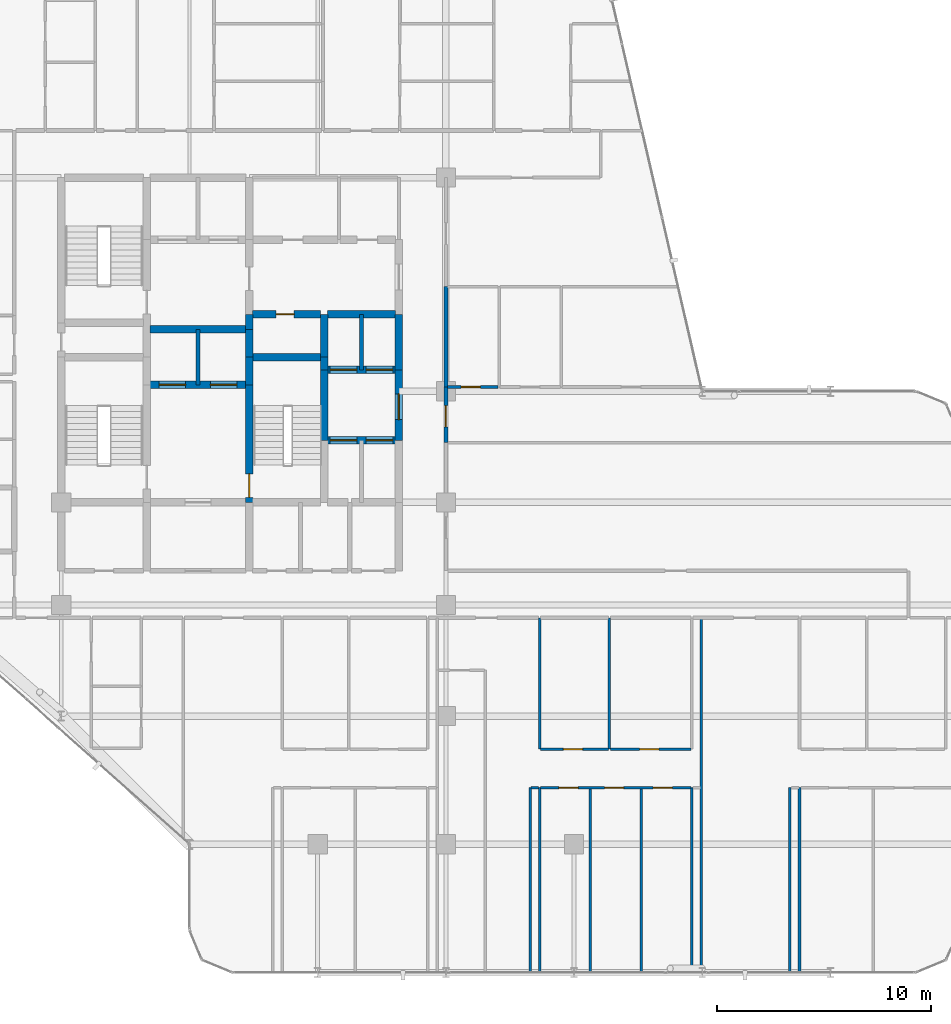
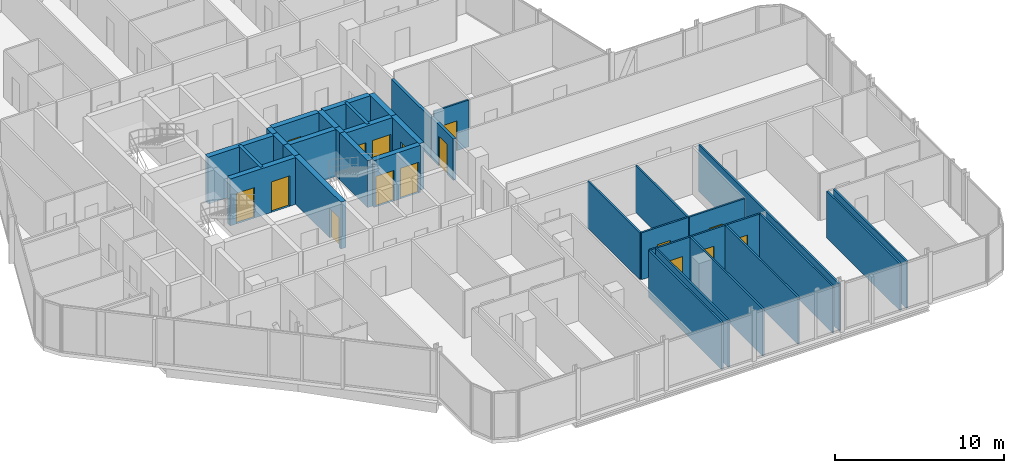
# One storey, part 25 of 29: 35 walls, 16 doors, 16 openings.
"""IFC4 building model written with IfcOpenShell, lengths in metres."""

from ifc_helpers import new_model, si_unit, direction, frame, frame_2d, origin, place, context, subcontext, project, spatial, rectangle, extrude, material, layer, layer_set, type_object, element, fill, save


model = new_model("IFC4")

# Units and contexts
model_context = context("Model", 3, precision=1e-05, world=origin(), true_north=direction((0.0, 1.0)))
body_context = subcontext(model_context, "Body", "Model", "MODEL_VIEW")
ifc_project = project(units=[si_unit("LENGTHUNIT", "METRE"), si_unit("AREAUNIT", "SQUARE_METRE"), si_unit("VOLUMEUNIT", "CUBIC_METRE"), si_unit("PLANEANGLEUNIT", "RADIAN"), si_unit("MASSUNIT", "GRAM", prefix="KILO")], contexts=[model_context])

# Site, building, storey
site_placement = place(None, origin())
site = spatial("IfcSite", under=ifc_project, at=site_placement, CompositionType="ELEMENT")
building_placement = place(site_placement, origin())
building = spatial("IfcBuilding", under=site, at=building_placement, Name="Keshet Zoharim Tower", CompositionType="ELEMENT")
storey_placement = place(building_placement, frame((0.0, 0.0, 180.199951171875)))
storey = spatial("IfcBuildingStorey", under=building, at=storey_placement, Name="L44", CompositionType="ELEMENT", Elevation=180.199951171875)

# Wall, opening, door
ifc_material_1 = material(Name="Concrete C60/75", Category="concrete")
ifc_layer_1 = layer(ifc_material_1, 0.35009765625)
ifc_layer_set_1 = layer_set([ifc_layer_1], Name="Concrete C60/75")
wall_type_1 = type_object("IfcWallType", Name="WL-CORE-350", PredefinedType="SHEAR", material=ifc_layer_set_1)
wall_1_placement = place(storey_placement, frame((23.800048828125, 22.699951171875, 0.0), z_axis=(0.0, 0.0, 1.0), x_axis=(0.0, 1.0, 0.0)))
wall_1 = element("IfcWall", 1, at=wall_1_placement, inside=storey, type_object=wall_type_1, Name="L44 Core Shear Wall 038", PredefinedType="SHEAR", context=body_context, shape_type="SweptSolid", body=[
    extrude(rectangle(XDim=5.5, YDim=0.35009765625, at=frame_2d((2.75, 0.0))), origin(), (0.0, 0.0, 1.0), 3.380126953125),
])
opening_1_placement = place(wall_1_placement, frame((0.235107421875, 0.0, 0.0)))
opening_1 = element("IfcOpeningElement", 2, at=opening_1_placement, cuts=wall_1, Name="Opening D-F611", PredefinedType="OPENING", context=body_context, shape_type="SweptSolid", body=[
    extrude(rectangle(XDim=1.10009765625, YDim=2.14990234375, at=frame_2d((0.550048828125, 1.074951171875))), frame((0.0, 0.18505859375, 0.0), z_axis=(0.0, -1.0, 0.0), x_axis=(1.0, 0.0, 0.0)), (0.0, 0.0, 1.0), 0.3701171875),
])
ifc_material_2 = material(Name="Hardwood Timber", Category="wood")
door_type_1 = type_object("IfcDoorType", Name="DR-FD60-110", OperationType="NOTDEFINED", PredefinedType="DOOR", material=ifc_material_2)
door_1_placement = place(opening_1_placement, frame((1.10009765625, 0.0, 0.0), z_axis=(0.0, 0.0, 1.0), x_axis=(-1.0, 0.0, 0.0)))
door_1 = element("IfcDoor", 3, at=door_1_placement, inside=storey, type_object=door_type_1, Name="L44 Exit Stair ST-03 Fire Door", OperationType="SINGLE_SWING_LEFT", OverallHeight=2.14990234375, OverallWidth=1.10009765625, PredefinedType="DOOR", context=body_context, shape_type="SweptSolid", body=[
    extrude(rectangle(XDim=1.10009765625, YDim=2.14990234375, at=frame_2d((0.550048828125, 1.074951171875))), frame((0.0, 0.02490234375, 0.0), z_axis=(0.0, -1.0, 0.0), x_axis=(1.0, 0.0, 0.0)), (0.0, 0.0, 1.0), 0.050048828125),
])
fill(opening_1, door_1)

# Walls
for number, where, z_axis, x_axis, name in (
    (4, (23.800048828125, 28.199951171875, 0.0), (0.0, 0.0, 1.0), (0.0, 1.0, 0.0), "L44 Core Shear Wall 039"),
    (5, (23.800048828125, 29.5, 0.0), (0.0, 0.0, 1.0), (0.0, 1.0, 0.0), "L44 Core Shear Wall 040"),
):
    element("IfcWall", number, at=place(storey_placement, frame(where, z_axis=z_axis, x_axis=x_axis)), inside=storey, type_object=wall_type_1, Name=name, PredefinedType="SHEAR", context=body_context, shape_type="SweptSolid", body=[
        extrude(rectangle(XDim=1.300048828125, YDim=0.35009765625, at=frame_2d((0.64990234375, 0.0))), origin(), (0.0, 0.0, 1.0), 3.380126953125),
    ])
wall_2_placement = place(storey_placement, frame((23.800048828125, 30.800048828125, 0.0), z_axis=(0.0, 0.0, 1.0), x_axis=(0.0, 1.0, 0.0)))
element("IfcWall", 6, at=wall_2_placement, inside=storey, type_object=wall_type_1, Name="L44 Core Shear Wall 041", PredefinedType="SHEAR", context=body_context, shape_type="SweptSolid", body=[
    extrude(rectangle(XDim=0.699951171875, YDim=0.35009765625, at=frame_2d((0.35009765625, 0.0))), origin(), (0.0, 0.0, 1.0), 3.380126953125),
])
wall_3_placement = place(storey_placement, frame((27.300048828125, 25.60009765625, 0.0), z_axis=(0.0, 0.0, 1.0), x_axis=(0.0, 1.0, 0.0)))
element("IfcWall", 7, at=wall_3_placement, inside=storey, type_object=wall_type_1, Name="L44 Core Shear Wall 052", PredefinedType="SHEAR", context=body_context, shape_type="SweptSolid", body=[
    extrude(rectangle(XDim=3.2998046875, YDim=0.35009765625, at=frame_2d((1.64990234375, 0.0))), origin(), (0.0, 0.0, 1.0), 3.380126953125),
])
wall_4_placement = place(storey_placement, frame((27.300048828125, 28.89990234375, 0.0), z_axis=(0.0, 0.0, 1.0), x_axis=(0.0, 1.0, 0.0)))
element("IfcWall", 8, at=wall_4_placement, inside=storey, type_object=wall_type_1, Name="L44 Core Shear Wall 053", PredefinedType="SHEAR", context=body_context, shape_type="SweptSolid", body=[
    extrude(rectangle(XDim=0.60009765625, YDim=0.35009765625, at=frame_2d((0.300048828125, 0.0))), origin(), (0.0, 0.0, 1.0), 3.380126953125),
])
wall_5_placement = place(storey_placement, frame((27.300048828125, 29.5, 0.0), z_axis=(0.0, 0.0, 1.0), x_axis=(0.0, 1.0, 0.0)))
element("IfcWall", 9, at=wall_5_placement, inside=storey, type_object=wall_type_1, Name="L44 Core Shear Wall 054", PredefinedType="SHEAR", context=body_context, shape_type="SweptSolid", body=[
    extrude(rectangle(XDim=2.0, YDim=0.35009765625, at=frame_2d((1.0, 0.0))), origin(), (0.0, 0.0, 1.0), 3.380126953125),
])

# Wall, opening, door
wall_6_placement = place(storey_placement, frame((30.800048828125, 25.60009765625, 0.0), z_axis=(0.0, 0.0, 1.0), x_axis=(0.0, 1.0, 0.0)))
wall_6 = element("IfcWall", 10, at=wall_6_placement, inside=storey, type_object=wall_type_1, Name="L44 Core Shear Wall 063", PredefinedType="SHEAR", context=body_context, shape_type="SweptSolid", body=[
    extrude(rectangle(XDim=3.2998046875, YDim=0.35009765625, at=frame_2d((1.64990234375, 0.0))), origin(), (0.0, 0.0, 1.0), 3.380126953125),
])
opening_2_placement = place(wall_6_placement, frame((0.97802734375, 0.0, 0.0)))
opening_2 = element("IfcOpeningElement", 11, at=opening_2_placement, cuts=wall_6, Name="Opening D-F612", PredefinedType="OPENING", context=body_context, shape_type="SweptSolid", body=[
    extrude(rectangle(XDim=1.199951171875, YDim=2.199951171875, at=frame_2d((0.60009765625, 1.10009765625))), frame((0.0, 0.18505859375, 0.0), z_axis=(0.0, -1.0, 0.0), x_axis=(1.0, 0.0, 0.0)), (0.0, 0.0, 1.0), 0.3701171875),
])
door_type_2 = type_object("IfcDoorType", Name="DR-FD60-120", OperationType="NOTDEFINED", PredefinedType="DOOR", material=ifc_material_2)
door_2_placement = place(opening_2_placement, origin())
door_2 = element("IfcDoor", 12, at=door_2_placement, inside=storey, type_object=door_type_2, Name="L44 East Lift Lobby Fire Door", OperationType="SINGLE_SWING_LEFT", OverallHeight=2.199951171875, OverallWidth=1.199951171875, PredefinedType="DOOR", context=body_context, shape_type="SweptSolid", body=[
    extrude(rectangle(XDim=1.199951171875, YDim=2.199951171875, at=frame_2d((0.60009765625, 1.10009765625))), frame((0.0, 0.02490234375, 0.0), z_axis=(0.0, -1.0, 0.0), x_axis=(1.0, 0.0, 0.0)), (0.0, 0.0, 1.0), 0.050048828125),
])
fill(opening_2, door_2)

# Wall
wall_7_placement = place(storey_placement, frame((30.800048828125, 28.89990234375, 0.0), z_axis=(0.0, 0.0, 1.0), x_axis=(0.0, 1.0, 0.0)))
element("IfcWall", 13, at=wall_7_placement, inside=storey, type_object=wall_type_1, Name="L44 Core Shear Wall 064", PredefinedType="SHEAR", context=body_context, shape_type="SweptSolid", body=[
    extrude(rectangle(XDim=2.60009765625, YDim=0.35009765625, at=frame_2d((1.300048828125, 0.0))), origin(), (0.0, 0.0, 1.0), 3.380126953125),
])

# Wall, openings, doors
wall_8_placement = place(storey_placement, frame((27.4599609375, 25.60009765625, 0.0), z_axis=(0.0, 0.0, 1.0), x_axis=(1.0, 0.0, 0.0)))
wall_8 = element("IfcWall", 14, at=wall_8_placement, inside=storey, type_object=wall_type_1, Name="L44 Core Shear Wall 152", PredefinedType="SHEAR", context=body_context, shape_type="SweptSolid", body=[
    extrude(rectangle(XDim=3.179931640625, YDim=0.35009765625, at=frame_2d((1.58984375, 0.0))), origin(), (0.0, 0.0, 1.0), 3.380126953125),
])
opening_3_placement = place(wall_8_placement, frame((0.1201171875, 0.0, 0.0)))
opening_3 = element("IfcOpeningElement", 15, at=opening_3_placement, cuts=wall_8, Name="Opening LD-01", PredefinedType="OPENING", context=body_context, shape_type="SweptSolid", body=[
    extrude(rectangle(XDim=1.25, YDim=2.199951171875, at=frame_2d((0.625, 1.10009765625))), frame((0.0, 0.18505859375, 0.0), z_axis=(0.0, -1.0, 0.0), x_axis=(1.0, 0.0, 0.0)), (0.0, 0.0, 1.0), 0.3701171875),
])
opening_4_placement = place(wall_8_placement, frame((1.81005859375, 0.0, 0.0)))
opening_4 = element("IfcOpeningElement", 16, at=opening_4_placement, cuts=wall_8, Name="Opening LD-01", PredefinedType="OPENING", context=body_context, shape_type="SweptSolid", body=[
    extrude(rectangle(XDim=1.25, YDim=2.199951171875, at=frame_2d((0.625, 1.10009765625))), frame((0.0, 0.18505859375, 0.0), z_axis=(0.0, -1.0, 0.0), x_axis=(1.0, 0.0, 0.0)), (0.0, 0.0, 1.0), 0.3701171875),
])
ifc_material_3 = material(Name="Steel S355", Category="steel")
door_type_3 = type_object("IfcDoorType", Name="DR-LD01-125", OperationType="DOUBLE_DOOR_SLIDING", PredefinedType="DOOR", material=ifc_material_3)
door_3_placement = place(opening_3_placement, origin())
door_3 = element("IfcDoor", 17, at=door_3_placement, inside=storey, type_object=door_type_3, Name="L44 Passenger Lift Landing Door LF-07", OperationType="DOUBLE_DOOR_SLIDING", OverallHeight=2.199951171875, OverallWidth=1.25, PredefinedType="DOOR", context=body_context, shape_type="SweptSolid", body=[
    extrude(rectangle(XDim=1.25, YDim=2.199951171875, at=frame_2d((0.625, 1.10009765625))), frame((0.0, 0.02490234375, 0.0), z_axis=(0.0, -1.0, 0.0), x_axis=(1.0, 0.0, 0.0)), (0.0, 0.0, 1.0), 0.050048828125),
])
fill(opening_3, door_3)
door_4_placement = place(opening_4_placement, origin())
door_4 = element("IfcDoor", 18, at=door_4_placement, inside=storey, type_object=door_type_3, Name="L44 Passenger Lift Landing Door LF-08", OperationType="DOUBLE_DOOR_SLIDING", OverallHeight=2.199951171875, OverallWidth=1.25, PredefinedType="DOOR", context=body_context, shape_type="SweptSolid", body=[
    extrude(rectangle(XDim=1.25, YDim=2.199951171875, at=frame_2d((0.625, 1.10009765625))), frame((0.0, 0.02490234375, 0.0), z_axis=(0.0, -1.0, 0.0), x_axis=(1.0, 0.0, 0.0)), (0.0, 0.0, 1.0), 0.050048828125),
])
fill(opening_4, door_4)

wall_9_placement = place(storey_placement, frame((19.159912109375, 28.199951171875, 0.0), z_axis=(0.0, 0.0, 1.0), x_axis=(1.0, 0.0, 0.0)))
wall_9 = element("IfcWall", 19, at=wall_9_placement, inside=storey, type_object=wall_type_1, Name="L44 Core Shear Wall 158", PredefinedType="SHEAR", context=body_context, shape_type="SweptSolid", body=[
    extrude(rectangle(XDim=4.47998046875, YDim=0.35009765625, at=frame_2d((2.239990234375, 0.0))), origin(), (0.0, 0.0, 1.0), 3.380126953125),
])
opening_5_placement = place(wall_9_placement, frame((0.4150390625, 0.0, 0.0)))
opening_5 = element("IfcOpeningElement", 20, at=opening_5_placement, cuts=wall_9, Name="Opening LD-01", PredefinedType="OPENING", context=body_context, shape_type="SweptSolid", body=[
    extrude(rectangle(XDim=1.25, YDim=2.199951171875, at=frame_2d((0.625, 1.10009765625))), frame((0.0, 0.18505859375, 0.0), z_axis=(0.0, -1.0, 0.0), x_axis=(1.0, 0.0, 0.0)), (0.0, 0.0, 1.0), 0.3701171875),
])
opening_6_placement = place(wall_9_placement, frame((2.81494140625, 0.0, 0.0)))
opening_6 = element("IfcOpeningElement", 21, at=opening_6_placement, cuts=wall_9, Name="Opening LD-01", PredefinedType="OPENING", context=body_context, shape_type="SweptSolid", body=[
    extrude(rectangle(XDim=1.25, YDim=2.199951171875, at=frame_2d((0.625, 1.10009765625))), frame((0.0, 0.18505859375, 0.0), z_axis=(0.0, -1.0, 0.0), x_axis=(1.0, 0.0, 0.0)), (0.0, 0.0, 1.0), 0.3701171875),
])
door_5_placement = place(opening_5_placement, origin())
door_5 = element("IfcDoor", 22, at=door_5_placement, inside=storey, type_object=door_type_3, Name="L44 Passenger Lift Landing Door LF-09", OperationType="DOUBLE_DOOR_SLIDING", OverallHeight=2.199951171875, OverallWidth=1.25, PredefinedType="DOOR", context=body_context, shape_type="SweptSolid", body=[
    extrude(rectangle(XDim=1.25, YDim=2.199951171875, at=frame_2d((0.625, 1.10009765625))), frame((0.0, 0.02490234375, 0.0), z_axis=(0.0, -1.0, 0.0), x_axis=(1.0, 0.0, 0.0)), (0.0, 0.0, 1.0), 0.050048828125),
])
fill(opening_5, door_5)
door_6_placement = place(opening_6_placement, origin())
door_6 = element("IfcDoor", 23, at=door_6_placement, inside=storey, type_object=door_type_3, Name="L44 Passenger Lift Landing Door LF-10", OperationType="DOUBLE_DOOR_SLIDING", OverallHeight=2.199951171875, OverallWidth=1.25, PredefinedType="DOOR", context=body_context, shape_type="SweptSolid", body=[
    extrude(rectangle(XDim=1.25, YDim=2.199951171875, at=frame_2d((0.625, 1.10009765625))), frame((0.0, 0.02490234375, 0.0), z_axis=(0.0, -1.0, 0.0), x_axis=(1.0, 0.0, 0.0)), (0.0, 0.0, 1.0), 0.050048828125),
])
fill(opening_6, door_6)

wall_10_placement = place(storey_placement, frame((27.4599609375, 28.89990234375, 0.0), z_axis=(0.0, 0.0, 1.0), x_axis=(1.0, 0.0, 0.0)))
wall_10 = element("IfcWall", 24, at=wall_10_placement, inside=storey, type_object=wall_type_1, Name="L44 Core Shear Wall 163", PredefinedType="SHEAR", context=body_context, shape_type="SweptSolid", body=[
    extrude(rectangle(XDim=3.179931640625, YDim=0.35009765625, at=frame_2d((1.58984375, 0.0))), origin(), (0.0, 0.0, 1.0), 3.380126953125),
])
opening_7_placement = place(wall_10_placement, frame((0.1201171875, 0.0, 0.0)))
opening_7 = element("IfcOpeningElement", 25, at=opening_7_placement, cuts=wall_10, Name="Opening LD-01", PredefinedType="OPENING", context=body_context, shape_type="SweptSolid", body=[
    extrude(rectangle(XDim=1.25, YDim=2.199951171875, at=frame_2d((0.625, 1.10009765625))), frame((0.0, 0.18505859375, 0.0), z_axis=(0.0, -1.0, 0.0), x_axis=(1.0, 0.0, 0.0)), (0.0, 0.0, 1.0), 0.3701171875),
])
opening_8_placement = place(wall_10_placement, frame((1.81005859375, 0.0, 0.0)))
opening_8 = element("IfcOpeningElement", 26, at=opening_8_placement, cuts=wall_10, Name="Opening LD-01", PredefinedType="OPENING", context=body_context, shape_type="SweptSolid", body=[
    extrude(rectangle(XDim=1.25, YDim=2.199951171875, at=frame_2d((0.625, 1.10009765625))), frame((0.0, 0.18505859375, 0.0), z_axis=(0.0, -1.0, 0.0), x_axis=(1.0, 0.0, 0.0)), (0.0, 0.0, 1.0), 0.3701171875),
])
door_7_placement = place(opening_7_placement, origin())
door_7 = element("IfcDoor", 27, at=door_7_placement, inside=storey, type_object=door_type_3, Name="L44 Passenger Lift Landing Door LF-05", OperationType="DOUBLE_DOOR_SLIDING", OverallHeight=2.199951171875, OverallWidth=1.25, PredefinedType="DOOR", context=body_context, shape_type="SweptSolid", body=[
    extrude(rectangle(XDim=1.25, YDim=2.199951171875, at=frame_2d((0.625, 1.10009765625))), frame((0.0, 0.02490234375, 0.0), z_axis=(0.0, -1.0, 0.0), x_axis=(1.0, 0.0, 0.0)), (0.0, 0.0, 1.0), 0.050048828125),
])
fill(opening_7, door_7)
door_8_placement = place(opening_8_placement, origin())
door_8 = element("IfcDoor", 28, at=door_8_placement, inside=storey, type_object=door_type_3, Name="L44 Passenger Lift Landing Door LF-06", OperationType="DOUBLE_DOOR_SLIDING", OverallHeight=2.199951171875, OverallWidth=1.25, PredefinedType="DOOR", context=body_context, shape_type="SweptSolid", body=[
    extrude(rectangle(XDim=1.25, YDim=2.199951171875, at=frame_2d((0.625, 1.10009765625))), frame((0.0, 0.02490234375, 0.0), z_axis=(0.0, -1.0, 0.0), x_axis=(1.0, 0.0, 0.0)), (0.0, 0.0, 1.0), 0.050048828125),
])
fill(opening_8, door_8)

# Walls
wall_11_placement = place(storey_placement, frame((23.9599609375, 29.5, 0.0), z_axis=(0.0, 0.0, 1.0), x_axis=(1.0, 0.0, 0.0)))
element("IfcWall", 29, at=wall_11_placement, inside=storey, type_object=wall_type_1, Name="L44 Core Shear Wall 165", PredefinedType="SHEAR", context=body_context, shape_type="SweptSolid", body=[
    extrude(rectangle(XDim=3.179931640625, YDim=0.35009765625, at=frame_2d((1.58984375, 0.0))), origin(), (0.0, 0.0, 1.0), 3.380126953125),
])
wall_12_placement = place(storey_placement, frame((19.159912109375, 30.800048828125, 0.0), z_axis=(0.0, 0.0, 1.0), x_axis=(1.0, 0.0, 0.0)))
element("IfcWall", 30, at=wall_12_placement, inside=storey, type_object=wall_type_1, Name="L44 Core Shear Wall 166", PredefinedType="SHEAR", context=body_context, shape_type="SweptSolid", body=[
    extrude(rectangle(XDim=4.47998046875, YDim=0.35009765625, at=frame_2d((2.239990234375, 0.0))), origin(), (0.0, 0.0, 1.0), 3.380126953125),
])

# Wall, opening, door
wall_13_placement = place(storey_placement, frame((23.9599609375, 31.5, 0.0), z_axis=(0.0, 0.0, 1.0), x_axis=(1.0, 0.0, 0.0)))
wall_13 = element("IfcWall", 31, at=wall_13_placement, inside=storey, type_object=wall_type_1, Name="L44 Core Shear Wall 170", PredefinedType="SHEAR", context=body_context, shape_type="SweptSolid", body=[
    extrude(rectangle(XDim=3.179931640625, YDim=0.35009765625, at=frame_2d((1.58984375, 0.0))), origin(), (0.0, 0.0, 1.0), 3.380126953125),
])
opening_9_placement = place(wall_13_placement, frame((1.093994140625, 0.0, 0.0)))
opening_9 = element("IfcOpeningElement", 32, at=opening_9_placement, cuts=wall_13, Name="Opening D-RS85", PredefinedType="OPENING", context=body_context, shape_type="SweptSolid", body=[
    extrude(rectangle(XDim=0.85009765625, YDim=2.10009765625, at=frame_2d((0.425048828125, 1.050048828125))), frame((0.0, 0.18505859375, 0.0), z_axis=(0.0, -1.0, 0.0), x_axis=(1.0, 0.0, 0.0)), (0.0, 0.0, 1.0), 0.3701171875),
])
door_type_4 = type_object("IfcDoorType", Name="DR-RIS-085", OperationType="NOTDEFINED", PredefinedType="DOOR", material=ifc_material_2)
door_9_placement = place(opening_9_placement, origin())
door_9 = element("IfcDoor", 33, at=door_9_placement, inside=storey, type_object=door_type_4, Name="L44 Telecom Riser Access Cupboard Door", OperationType="SINGLE_SWING_RIGHT", OverallHeight=2.10009765625, OverallWidth=0.85009765625, PredefinedType="DOOR", context=body_context, shape_type="SweptSolid", body=[
    extrude(rectangle(XDim=0.85009765625, YDim=2.10009765625, at=frame_2d((0.425048828125, 1.050048828125))), frame((0.0, 0.02490234375, 0.0), z_axis=(0.0, -1.0, 0.0), x_axis=(1.0, 0.0, 0.0)), (0.0, 0.0, 1.0), 0.050048828125),
])
fill(opening_9, door_9)

# Wall
wall_14_placement = place(storey_placement, frame((27.4599609375, 31.5, 0.0), z_axis=(0.0, 0.0, 1.0), x_axis=(1.0, 0.0, 0.0)))
element("IfcWall", 34, at=wall_14_placement, inside=storey, type_object=wall_type_1, Name="L44 Core Shear Wall 171", PredefinedType="SHEAR", context=body_context, shape_type="SweptSolid", body=[
    extrude(rectangle(XDim=3.179931640625, YDim=0.35009765625, at=frame_2d((1.58984375, 0.0))), origin(), (0.0, 0.0, 1.0), 3.380126953125),
])

# Wall, opening, door
ifc_material_4 = material(Name="Gypsum Plasterboard", Category="gypsum")
ifc_layer_2 = layer(ifc_material_4, 0.179931640625)
ifc_layer_set_2 = layer_set([ifc_layer_2], Name="Gypsum Plasterboard")
wall_type_2 = type_object("IfcWallType", Name="WL-CORR-180", PredefinedType="STANDARD", material=ifc_layer_set_2)
wall_15_placement = place(storey_placement, frame((33.0, 25.510009765625, 0.0), z_axis=(0.0, 0.0, 1.0), x_axis=(0.0, 1.0, 0.0)))
wall_15 = element("IfcWall", 35, at=wall_15_placement, inside=storey, type_object=wall_type_2, Name="L44 Interior Wall 076", PredefinedType="STANDARD", context=body_context, shape_type="SweptSolid", body=[
    extrude(rectangle(XDim=2.60009765625, YDim=0.179931640625, at=frame_2d((1.300048828125, 0.0))), origin(), (0.0, 0.0, 1.0), 2.97998046875),
])
opening_10_placement = place(wall_15_placement, frame((0.722900390625, 0.0, 0.0)))
opening_10 = element("IfcOpeningElement", 36, at=opening_10_placement, cuts=wall_15, Name="Opening D-F310", PredefinedType="OPENING", context=body_context, shape_type="SweptSolid", body=[
    extrude(rectangle(XDim=1.0, YDim=2.14990234375, at=frame_2d((0.5, 1.074951171875))), frame((0.0, 0.10009765625, 0.0), z_axis=(0.0, -1.0, 0.0), x_axis=(1.0, 0.0, 0.0)), (0.0, 0.0, 1.0), 0.199951171875),
])
door_type_5 = type_object("IfcDoorType", Name="DR-FD30-100", OperationType="NOTDEFINED", PredefinedType="DOOR", material=ifc_material_2)
door_10_placement = place(opening_10_placement, origin())
door_10 = element("IfcDoor", 37, at=door_10_placement, inside=storey, type_object=door_type_5, Name="Apartment 4411 Entrance Door", OperationType="SINGLE_SWING_RIGHT", OverallHeight=2.14990234375, OverallWidth=1.0, PredefinedType="DOOR", context=body_context, shape_type="SweptSolid", body=[
    extrude(rectangle(XDim=1.0, YDim=2.14990234375, at=frame_2d((0.5, 1.074951171875))), frame((0.0, 0.02490234375, 0.0), z_axis=(0.0, -1.0, 0.0), x_axis=(1.0, 0.0, 0.0)), (0.0, 0.0, 1.0), 0.050048828125),
])
fill(opening_10, door_10)

# Walls
wall_16_placement = place(storey_placement, frame((33.0, 28.110107421875, 0.0), z_axis=(0.0, 0.0, 1.0), x_axis=(0.0, 1.0, 0.0)))
element("IfcWall", 38, at=wall_16_placement, inside=storey, type_object=wall_type_2, Name="L44 Interior Wall 077", PredefinedType="STANDARD", context=body_context, shape_type="SweptSolid", body=[
    extrude(rectangle(XDim=4.68994140625, YDim=0.179931640625, at=frame_2d((2.344970703125, 0.0))), origin(), (0.0, 0.0, 1.0), 2.880126953125),
])
ifc_material_5 = material(Name="Concrete C50/60", Category="concrete")
ifc_layer_3 = layer(ifc_material_5, 0.199951171875)
ifc_layer_set_3 = layer_set([ifc_layer_3], Name="Concrete C50/60")
wall_type_3 = type_object("IfcWallType", Name="WL-FIRE-200", PredefinedType="STANDARD", material=ifc_layer_set_3)
for number, where, z_axis, x_axis, name in (
    (39, (21.39990234375, 28.199951171875, 0.0), (0.0, 0.0, 1.0), (0.0, 1.0, 0.0), "L44 Interior Wall 032"),
    (40, (29.050048828125, 28.89990234375, 0.0), (0.0, 0.0, 1.0), (0.0, 1.0, 0.0), "L44 Interior Wall 060"),
):
    element("IfcWall", number, at=place(storey_placement, frame(where, z_axis=z_axis, x_axis=x_axis)), inside=storey, type_object=wall_type_3, Name=name, PredefinedType="STANDARD", context=body_context, shape_type="SweptSolid", body=[
        extrude(rectangle(XDim=2.60009765625, YDim=0.199951171875, at=frame_2d((1.300048828125, 0.0))), origin(), (0.0, 0.0, 1.0), 3.380126953125),
    ])
ifc_layer_4 = layer(ifc_material_4, 0.1201171875)
ifc_layer_set_4 = layer_set([ifc_layer_4], Name="Gypsum Plasterboard")
wall_type_4 = type_object("IfcWallType", Name="WL-PART-120", PredefinedType="PARTITIONING", material=ifc_layer_set_4)
for number, where, z_axis, x_axis, name in (
    (41, (36.949951171875, 0.7099609375, 0.0), (0.0, 0.0, 1.0), (0.0, 1.0, 0.0), "L44 Interior Wall 084"),
    (42, (37.39990234375, 0.7099609375, 0.0), (0.0, 0.0, 1.0), (0.0, 1.0, 0.0), "L44 Interior Wall 085"),
):
    element("IfcWall", number, at=place(storey_placement, frame(where, z_axis=z_axis, x_axis=x_axis)), inside=storey, type_object=wall_type_4, Name=name, PredefinedType="PARTITIONING", context=body_context, shape_type="SweptSolid", body=[
        extrude(rectangle(XDim=8.64013671875, YDim=0.1201171875, at=frame_2d((4.320068359375, 0.0))), origin(), (0.0, 0.0, 1.0), 3.380126953125),
    ])
wall_17_placement = place(storey_placement, frame((37.39990234375, 11.14990234375, 0.0), z_axis=(0.0, 0.0, 1.0), x_axis=(0.0, 1.0, 0.0)))
element("IfcWall", 43, at=wall_17_placement, inside=storey, type_object=wall_type_4, Name="L44 Interior Wall 086", PredefinedType="PARTITIONING", context=body_context, shape_type="SweptSolid", body=[
    extrude(rectangle(XDim=6.150146484375, YDim=0.1201171875, at=frame_2d((3.0751953125, 0.0))), origin(), (0.0, 0.0, 1.0), 3.380126953125),
])
for number, where, z_axis, x_axis, name in (
    (44, (39.75, 0.7099609375, 0.0), (0.0, 0.0, 1.0), (0.0, 1.0, 0.0), "L44 Interior Wall 090"),
    (45, (42.14990234375, 0.7099609375, 0.0), (0.0, 0.0, 1.0), (0.0, 1.0, 0.0), "L44 Interior Wall 093"),
    (46, (44.5, 0.7099609375, 0.0), (0.0, 0.0, 1.0), (0.0, 1.0, 0.0), "L44 Interior Wall 094"),
):
    element("IfcWall", number, at=place(storey_placement, frame(where, z_axis=z_axis, x_axis=x_axis)), inside=storey, type_object=wall_type_4, Name=name, PredefinedType="PARTITIONING", context=body_context, shape_type="SweptSolid", body=[
        extrude(rectangle(XDim=8.64013671875, YDim=0.1201171875, at=frame_2d((4.320068359375, 0.0))), origin(), (0.0, 0.0, 1.0), 3.380126953125),
    ])
wall_18_placement = place(storey_placement, frame((44.949951171875, 0.7099609375, 0.0), z_axis=(0.0, 0.0, 1.0), x_axis=(0.0, 1.0, 0.0)))
element("IfcWall", 47, at=wall_18_placement, inside=storey, type_object=wall_type_4, Name="L44 Interior Wall 096", PredefinedType="PARTITIONING", context=body_context, shape_type="SweptSolid", body=[
    extrude(rectangle(XDim=16.590087890625, YDim=0.1201171875, at=frame_2d((8.294921875, 0.0))), origin(), (0.0, 0.0, 1.0), 3.380126953125),
])
for number, where, z_axis, x_axis, name in (
    (48, (49.10009765625, 0.7099609375, 0.0), (0.0, 0.0, 1.0), (0.0, 1.0, 0.0), "L44 Interior Wall 097"),
    (49, (49.550048828125, 0.7099609375, 0.0), (0.0, 0.0, 1.0), (0.0, 1.0, 0.0), "L44 Interior Wall 098"),
):
    element("IfcWall", number, at=place(storey_placement, frame(where, z_axis=z_axis, x_axis=x_axis)), inside=storey, type_object=wall_type_4, Name=name, PredefinedType="PARTITIONING", context=body_context, shape_type="SweptSolid", body=[
        extrude(rectangle(XDim=8.64013671875, YDim=0.1201171875, at=frame_2d((4.320068359375, 0.0))), origin(), (0.0, 0.0, 1.0), 3.380126953125),
    ])
wall_19_placement = place(storey_placement, frame((36.97509765625, 9.35009765625, 0.0), z_axis=(0.0, 0.0, 1.0), x_axis=(1.0, 0.0, 0.0)))
element("IfcWall", 50, at=wall_19_placement, inside=storey, type_object=wall_type_4, Name="L44 Interior Wall 107", PredefinedType="PARTITIONING", context=body_context, shape_type="SweptSolid", body=[
    extrude(rectangle(XDim=0.35986328125, YDim=0.1201171875, at=frame_2d((0.179931640625, 0.0))), origin(), (0.0, 0.0, 1.0), 3.380126953125),
])

# Wall, openings, doors
wall_20_placement = place(storey_placement, frame((37.425048828125, 9.35009765625, 0.0), z_axis=(0.0, 0.0, 1.0), x_axis=(1.0, 0.0, 0.0)))
wall_20 = element("IfcWall", 51, at=wall_20_placement, inside=storey, type_object=wall_type_4, Name="L44 Interior Wall 108", PredefinedType="PARTITIONING", context=body_context, shape_type="SweptSolid", body=[
    extrude(rectangle(XDim=7.0400390625, YDim=0.1201171875, at=frame_2d((3.52001953125, 0.0))), origin(), (0.0, 0.0, 1.0), 3.380126953125),
])
opening_11_placement = place(wall_20_placement, frame((0.867919921875, 0.0, 0.0)))
opening_11 = element("IfcOpeningElement", 52, at=opening_11_placement, cuts=wall_20, Name="Opening D-IN90", PredefinedType="OPENING", context=body_context, shape_type="SweptSolid", body=[
    extrude(rectangle(XDim=0.89990234375, YDim=2.14990234375, at=frame_2d((0.449951171875, 1.074951171875))), frame((0.0, 0.070068359375, 0.0), z_axis=(0.0, -1.0, 0.0), x_axis=(1.0, 0.0, 0.0)), (0.0, 0.0, 1.0), 0.14013671875),
])
opening_12_placement = place(wall_20_placement, frame((2.9990234375, 0.0, 0.0)))
opening_12 = element("IfcOpeningElement", 53, at=opening_12_placement, cuts=wall_20, Name="Opening D-IN90", PredefinedType="OPENING", context=body_context, shape_type="SweptSolid", body=[
    extrude(rectangle(XDim=0.89990234375, YDim=2.14990234375, at=frame_2d((0.449951171875, 1.074951171875))), frame((0.0, 0.070068359375, 0.0), z_axis=(0.0, -1.0, 0.0), x_axis=(1.0, 0.0, 0.0)), (0.0, 0.0, 1.0), 0.14013671875),
])
opening_13_placement = place(wall_20_placement, frame((5.27197265625, 0.0, 0.0)))
opening_13 = element("IfcOpeningElement", 54, at=opening_13_placement, cuts=wall_20, Name="Opening D-IN90", PredefinedType="OPENING", context=body_context, shape_type="SweptSolid", body=[
    extrude(rectangle(XDim=0.89990234375, YDim=2.14990234375, at=frame_2d((0.449951171875, 1.074951171875))), frame((0.0, 0.070068359375, 0.0), z_axis=(0.0, -1.0, 0.0), x_axis=(1.0, 0.0, 0.0)), (0.0, 0.0, 1.0), 0.14013671875),
])
door_type_6 = type_object("IfcDoorType", Name="DR-INT-090", OperationType="NOTDEFINED", PredefinedType="DOOR", material=ifc_material_2)
door_11_placement = place(opening_11_placement, origin())
door_11 = element("IfcDoor", 55, at=door_11_placement, inside=storey, type_object=door_type_6, Name="Apartment 4403 Bedroom 1 Door", OperationType="SINGLE_SWING_RIGHT", OverallHeight=2.14990234375, OverallWidth=0.89990234375, PredefinedType="DOOR", context=body_context, shape_type="SweptSolid", body=[
    extrude(rectangle(XDim=0.89990234375, YDim=2.14990234375, at=frame_2d((0.449951171875, 1.074951171875))), frame((0.0, 0.02490234375, 0.0), z_axis=(0.0, -1.0, 0.0), x_axis=(1.0, 0.0, 0.0)), (0.0, 0.0, 1.0), 0.050048828125),
])
fill(opening_11, door_11)
door_12_placement = place(opening_12_placement, origin())
door_12 = element("IfcDoor", 56, at=door_12_placement, inside=storey, type_object=door_type_6, Name="Apartment 4403 Bedroom 2 Door", OperationType="SINGLE_SWING_LEFT", OverallHeight=2.14990234375, OverallWidth=0.89990234375, PredefinedType="DOOR", context=body_context, shape_type="SweptSolid", body=[
    extrude(rectangle(XDim=0.89990234375, YDim=2.14990234375, at=frame_2d((0.449951171875, 1.074951171875))), frame((0.0, 0.02490234375, 0.0), z_axis=(0.0, -1.0, 0.0), x_axis=(1.0, 0.0, 0.0)), (0.0, 0.0, 1.0), 0.050048828125),
])
fill(opening_12, door_12)
door_13_placement = place(opening_13_placement, origin())
door_13 = element("IfcDoor", 57, at=door_13_placement, inside=storey, type_object=door_type_6, Name="Apartment 4403 Bedroom 3 Door", OperationType="SINGLE_SWING_RIGHT", OverallHeight=2.14990234375, OverallWidth=0.89990234375, PredefinedType="DOOR", context=body_context, shape_type="SweptSolid", body=[
    extrude(rectangle(XDim=0.89990234375, YDim=2.14990234375, at=frame_2d((0.449951171875, 1.074951171875))), frame((0.0, 0.02490234375, 0.0), z_axis=(0.0, -1.0, 0.0), x_axis=(1.0, 0.0, 0.0)), (0.0, 0.0, 1.0), 0.050048828125),
])
fill(opening_13, door_13)

# Wall, opening, door
wall_21_placement = place(storey_placement, frame((37.425048828125, 11.14990234375, 0.0), z_axis=(0.0, 0.0, 1.0), x_axis=(1.0, 0.0, 0.0)))
wall_21 = element("IfcWall", 58, at=wall_21_placement, inside=storey, type_object=wall_type_4, Name="L44 Interior Wall 114", PredefinedType="PARTITIONING", context=body_context, shape_type="SweptSolid", body=[
    extrude(rectangle(XDim=3.18994140625, YDim=0.1201171875, at=frame_2d((1.594970703125, 0.0))), origin(), (0.0, 0.0, 1.0), 3.380126953125),
])
opening_14_placement = place(wall_21_placement, frame((1.072998046875, 0.0, 0.0)))
opening_14 = element("IfcOpeningElement", 59, at=opening_14_placement, cuts=wall_21, Name="Opening D-IN90", PredefinedType="OPENING", context=body_context, shape_type="SweptSolid", body=[
    extrude(rectangle(XDim=0.89990234375, YDim=2.14990234375, at=frame_2d((0.449951171875, 1.074951171875))), frame((0.0, 0.070068359375, 0.0), z_axis=(0.0, -1.0, 0.0), x_axis=(1.0, 0.0, 0.0)), (0.0, 0.0, 1.0), 0.14013671875),
])
door_14_placement = place(opening_14_placement, origin())
door_14 = element("IfcDoor", 60, at=door_14_placement, inside=storey, type_object=door_type_6, Name="Apartment 4403 Kitchen Door", OperationType="SINGLE_SWING_LEFT", OverallHeight=2.14990234375, OverallWidth=0.89990234375, PredefinedType="DOOR", context=body_context, shape_type="SweptSolid", body=[
    extrude(rectangle(XDim=0.89990234375, YDim=2.14990234375, at=frame_2d((0.449951171875, 1.074951171875))), frame((0.0, 0.02490234375, 0.0), z_axis=(0.0, -1.0, 0.0), x_axis=(1.0, 0.0, 0.0)), (0.0, 0.0, 1.0), 0.050048828125),
])
fill(opening_14, door_14)

wall_22_placement = place(storey_placement, frame((33.074951171875, 28.10009765625, 0.0), z_axis=(0.0, 0.0, 1.0), x_axis=(1.0, 0.0, 0.0)))
wall_22 = element("IfcWall", 61, at=wall_22_placement, inside=storey, type_object=wall_type_4, Name="L44 Interior Wall 155", PredefinedType="PARTITIONING", context=body_context, shape_type="SweptSolid", body=[
    extrude(rectangle(XDim=2.364013671875, YDim=0.1201171875, at=frame_2d((1.18212890625, 0.0))), origin(), (0.0, 0.0, 1.0), 3.380126953125),
])
opening_15_placement = place(wall_22_placement, frame((0.64111328125, 0.0, 0.0)))
opening_15 = element("IfcOpeningElement", 62, at=opening_15_placement, cuts=wall_22, Name="Opening D-IN90", PredefinedType="OPENING", context=body_context, shape_type="SweptSolid", body=[
    extrude(rectangle(XDim=0.89990234375, YDim=2.14990234375, at=frame_2d((0.449951171875, 1.074951171875))), frame((0.0, 0.070068359375, 0.0), z_axis=(0.0, -1.0, 0.0), x_axis=(1.0, 0.0, 0.0)), (0.0, 0.0, 1.0), 0.14013671875),
])
door_15_placement = place(opening_15_placement, origin())
door_15 = element("IfcDoor", 63, at=door_15_placement, inside=storey, type_object=door_type_6, Name="Apartment 4411 Kitchen Door", OperationType="SINGLE_SWING_LEFT", OverallHeight=2.14990234375, OverallWidth=0.89990234375, PredefinedType="DOOR", context=body_context, shape_type="SweptSolid", body=[
    extrude(rectangle(XDim=0.89990234375, YDim=2.14990234375, at=frame_2d((0.449951171875, 1.074951171875))), frame((0.0, 0.02490234375, 0.0), z_axis=(0.0, -1.0, 0.0), x_axis=(1.0, 0.0, 0.0)), (0.0, 0.0, 1.0), 0.050048828125),
])
fill(opening_15, door_15)

# Wall
ifc_layer_5 = layer(ifc_material_4, 0.1201171875)
ifc_layer_set_5 = layer_set([ifc_layer_5], Name="Gypsum Plasterboard")
wall_type_5 = type_object("IfcWallType", Name="WL-WET-120", PredefinedType="PARTITIONING", material=ifc_layer_set_5)
wall_23_placement = place(storey_placement, frame((40.64990234375, 11.14990234375, 0.0), z_axis=(0.0, 0.0, 1.0), x_axis=(0.0, 1.0, 0.0)))
element("IfcWall", 64, at=wall_23_placement, inside=storey, type_object=wall_type_5, Name="L44 Interior Wall 092", PredefinedType="PARTITIONING", context=body_context, shape_type="SweptSolid", body=[
    extrude(rectangle(XDim=6.150146484375, YDim=0.1201171875, at=frame_2d((3.0751953125, 0.0))), origin(), (0.0, 0.0, 1.0), 3.380126953125),
])

# Wall, opening, door
wall_24_placement = place(storey_placement, frame((40.705078125, 11.14990234375, 0.0), z_axis=(0.0, 0.0, 1.0), x_axis=(1.0, 0.0, 0.0)))
wall_24 = element("IfcWall", 65, at=wall_24_placement, inside=storey, type_object=wall_type_5, Name="L44 Interior Wall 115", PredefinedType="PARTITIONING", context=body_context, shape_type="SweptSolid", body=[
    extrude(rectangle(XDim=3.760009765625, YDim=0.1201171875, at=frame_2d((1.8798828125, 0.0))), origin(), (0.0, 0.0, 1.0), 3.380126953125),
])
opening_16_placement = place(wall_24_placement, frame((1.35791015625, 0.0, 0.0)))
opening_16 = element("IfcOpeningElement", 66, at=opening_16_placement, cuts=wall_24, Name="Opening D-WT90", PredefinedType="OPENING", context=body_context, shape_type="SweptSolid", body=[
    extrude(rectangle(XDim=0.89990234375, YDim=2.10009765625, at=frame_2d((0.449951171875, 1.050048828125))), frame((0.0, 0.070068359375, 0.0), z_axis=(0.0, -1.0, 0.0), x_axis=(1.0, 0.0, 0.0)), (0.0, 0.0, 1.0), 0.14013671875),
])
door_type_7 = type_object("IfcDoorType", Name="DR-WET-090", OperationType="NOTDEFINED", PredefinedType="DOOR", material=ifc_material_2)
door_16_placement = place(opening_16_placement, origin())
door_16 = element("IfcDoor", 67, at=door_16_placement, inside=storey, type_object=door_type_7, Name="Apartment 4403 Bathroom Door", OperationType="SINGLE_SWING_RIGHT", OverallHeight=2.10009765625, OverallWidth=0.89990234375, PredefinedType="DOOR", context=body_context, shape_type="SweptSolid", body=[
    extrude(rectangle(XDim=0.89990234375, YDim=2.10009765625, at=frame_2d((0.449951171875, 1.050048828125))), frame((0.0, 0.02490234375, 0.0), z_axis=(0.0, -1.0, 0.0), x_axis=(1.0, 0.0, 0.0)), (0.0, 0.0, 1.0), 0.050048828125),
])
fill(opening_16, door_16)

save(model, "model.ifc")
